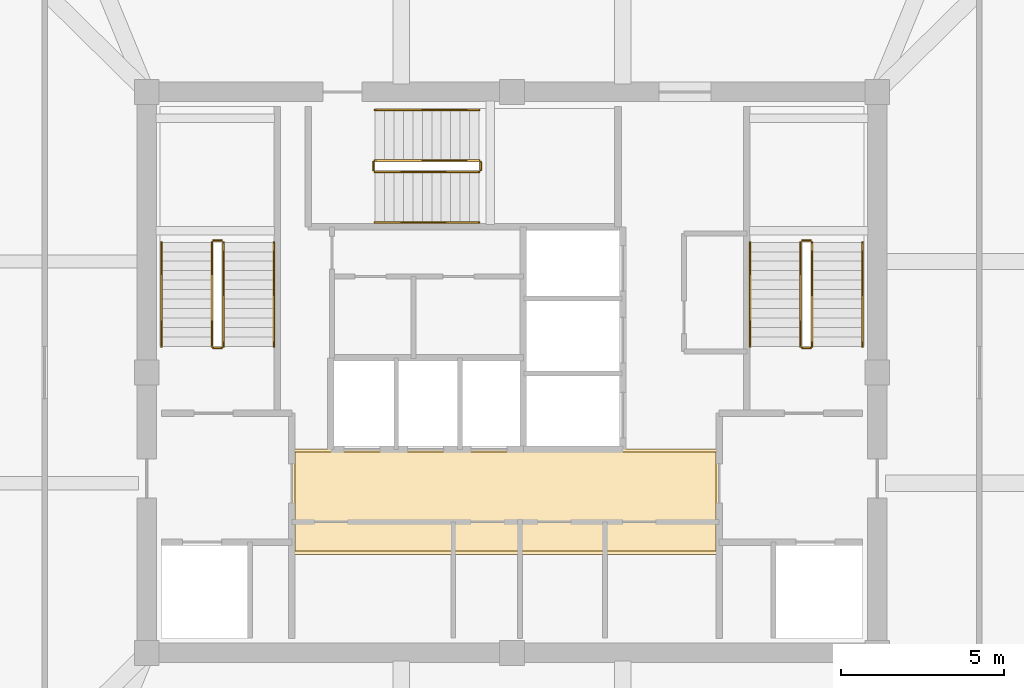
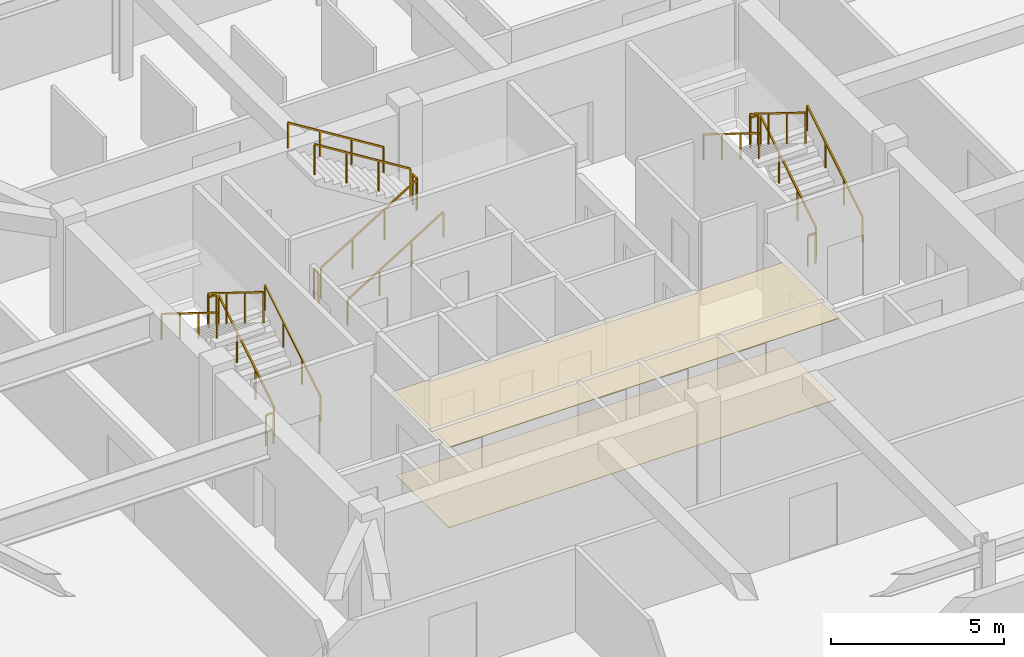
# One storey, part 9 of 9: 18 railings, 2 coverings.
"""IFC4 building model written with IfcOpenShell, lengths in metres."""

import ifcopenshell
import ifcopenshell.guid

model = None  # the IFC model being written
_history = None  # IfcOwnerHistory: only IFC2X3 demands one
_inside = {}  # id of a spatial element -> (the spatial element, [elements in it])
_under = {}  # id of a project, library or spatial element -> (it, [spatial elements below it])
_declared = {}  # id of a project -> (the project, [libraries it declares])
_typed = {}  # id of a type object -> (the type object, [elements of that type])
_made_of = {}  # id of a material, layer set ... -> (it, [elements and type objects made of it])


def new_model(schema):
    """Start an empty IFC model of exactly this schema.

    Asked for "IFC4X3", IfcOpenShell would pick the latest addendum, in which some entities
    have other attributes; the version numbers below select the first issue.
    IFC2X3 requires an IfcOwnerHistory on every rooted entity: one is made here for all.
    """
    global model, _history
    if schema == "IFC4X3":
        model = ifcopenshell.file(schema_version=(4, 3, 0, 0))
    else:
        model = ifcopenshell.file(schema=schema)
    _inside.clear()
    _under.clear()
    _declared.clear()
    _typed.clear()
    _made_of.clear()
    _history = None
    if model.schema == "IFC2X3":
        org = make("IfcOrganization", Name="unknown")
        user = make(
            "IfcPersonAndOrganization",
            ThePerson=make("IfcPerson", FamilyName="unknown"),
            TheOrganization=org,
        )
        app = make(
            "IfcApplication",
            ApplicationDeveloper=org,
            Version="unknown",
            ApplicationFullName="unknown",
            ApplicationIdentifier="unknown",
        )
        _history = make(
            "IfcOwnerHistory",
            OwningUser=user,
            OwningApplication=app,
            ChangeAction="ADDED",
            CreationDate=0,
        )
    return model


def make(cls, **values):
    """One entity of the class cls with the attributes given. An attribute that is None is left unset."""
    return model.create_entity(
        cls, **{name: value for name, value in values.items() if value is not None}
    )


def rooted(cls, **values):
    """An entity with a GlobalId (a new one), such as an element, a storey or a relation."""
    return make(cls, GlobalId=ifcopenshell.guid.new(), OwnerHistory=_history, **values)


def si_unit(unit_type, name, prefix=None):
    """IfcSIUnit, for example si_unit("LENGTHUNIT", "METRE", prefix="MILLI")."""
    return make("IfcSIUnit", UnitType=unit_type, Prefix=prefix, Name=name)


def derived_unit(unit_type, elements):
    """IfcDerivedUnit: a product of units, each with its exponent."""
    return make(
        "IfcDerivedUnit",
        Elements=[
            make("IfcDerivedUnitElement", Unit=unit, Exponent=power)
            for unit, power in elements
        ],
        UnitType=unit_type,
    )


def assignment(units):
    """IfcUnitAssignment: the units of a project."""
    return None if units is None else make("IfcUnitAssignment", Units=units)


def point(xyz):
    """IfcCartesianPoint."""
    return None if xyz is None else make("IfcCartesianPoint", Coordinates=xyz)


def direction(xyz):
    """IfcDirection."""
    return None if xyz is None else make("IfcDirection", DirectionRatios=xyz)


def frame(location, z_axis=None, x_axis=None):
    """IfcAxis2Placement3D, a coordinate frame: its origin and axes. An axis left out is left unset."""
    return make(
        "IfcAxis2Placement3D",
        Location=point(location),
        Axis=direction(z_axis),
        RefDirection=direction(x_axis),
    )


def frame_2d(location, x_axis=None):
    """IfcAxis2Placement2D, a coordinate frame in the plane: its origin and x axis."""
    return make(
        "IfcAxis2Placement2D", Location=point(location), RefDirection=direction(x_axis)
    )


def origin():
    """The frame at (0, 0, 0) with its axes left unset."""
    return frame((0.0, 0.0, 0.0))


def origin_2d():
    """The frame at (0, 0) in the plane with its x axis left unset."""
    return frame_2d((0.0, 0.0))


def place(relative_to, where):
    """IfcLocalPlacement: puts the frame where relative to a parent placement (None: the world)."""
    return make(
        "IfcLocalPlacement", PlacementRelTo=relative_to, RelativePlacement=where
    )


def context(
    kind, dimensions, precision=None, world=None, true_north=None, identifier=None
):
    """IfcGeometricRepresentationContext, for example the 3D "Model" context."""
    return make(
        "IfcGeometricRepresentationContext",
        ContextIdentifier=identifier,
        ContextType=kind,
        CoordinateSpaceDimension=dimensions,
        Precision=precision,
        WorldCoordinateSystem=world,
        TrueNorth=true_north,
    )


def subcontext(parent, identifier, kind, view, scale=None):
    """IfcGeometricRepresentationSubContext, for example "Body" below "Model"."""
    return make(
        "IfcGeometricRepresentationSubContext",
        ContextIdentifier=identifier,
        ContextType=kind,
        ParentContext=parent,
        TargetScale=scale,
        TargetView=view,
    )


def project(units=None, contexts=None):
    """IfcProject with its units and contexts."""
    return rooted(
        "IfcProject",
        Name="project",
        RepresentationContexts=contexts,
        UnitsInContext=assignment(units),
    )


def spatial(cls, under=None, at=None, **own):
    """A site, building, storey or space (cls), placed at a placement, below another one or the project."""
    s = rooted(cls, ObjectPlacement=at, **own)
    if under is not None:
        _under.setdefault(under.id(), (under, []))[1].append(s)
    return s


def polyline(points):
    """IfcPolyline through the points."""
    return make("IfcPolyline", Points=[point(p) for p in points])


def profile(cls, at=None, kind="AREA", **sizes):
    """A parametric profile (cls). Its sizes go by their IFC names, for example OverallWidth=200.0."""
    return make(cls, ProfileType=kind, Position=at, **sizes)


def rectangle(**sizes):
    """IfcRectangleProfileDef."""
    return profile("IfcRectangleProfileDef", **sizes)


def outline(outer, holes=None, kind="AREA"):
    """IfcArbitraryClosedProfileDef: a profile drawn as a closed curve; with holes, ...WithVoids."""
    if holes is None:
        return make("IfcArbitraryClosedProfileDef", ProfileType=kind, OuterCurve=outer)
    return make(
        "IfcArbitraryProfileDefWithVoids",
        ProfileType=kind,
        OuterCurve=outer,
        InnerCurves=holes,
    )


def extrude(swept, where, along, depth):
    """IfcExtrudedAreaSolid: the profile swept, set in the frame where, extruded along a direction by depth."""
    return make(
        "IfcExtrudedAreaSolid",
        SweptArea=swept,
        Position=where,
        ExtrudedDirection=direction(along),
        Depth=depth,
    )


def shape(context_of_items, identifier, shape_type, items):
    """IfcShapeRepresentation: the items that make up one representation, for example the "Body"."""
    return make(
        "IfcShapeRepresentation",
        ContextOfItems=context_of_items,
        RepresentationIdentifier=identifier,
        RepresentationType=shape_type,
        Items=items,
    )


def material(Name=None, Category=None):
    """IfcMaterial."""
    return make("IfcMaterial", Name=Name, Category=Category)


def layer(
    of_material, thickness, ventilated=None, Name=None, Category=None, Priority=None
):
    """IfcMaterialLayer: one layer of a wall or slab, of a material (None: an air gap)."""
    return make(
        "IfcMaterialLayer",
        Material=of_material,
        LayerThickness=thickness,
        IsVentilated=ventilated,
        Name=Name,
        Category=Category,
        Priority=Priority,
    )


def layer_set(layers, Name=None):
    """IfcMaterialLayerSet."""
    return make("IfcMaterialLayerSet", MaterialLayers=layers, LayerSetName=Name)


def made_of(thing, what):
    """Note that an element or type object is made of a material, layer set ...; save() writes the relation."""
    if what is not None:
        _made_of.setdefault(what.id(), (what, []))[1].append(thing)
    return thing


def type_object(cls, material=None, **own):
    """A type object (cls), such as IfcWallType, which elements share."""
    return made_of(rooted(cls, **own), material)


def element(
    cls,
    number,
    at=None,
    inside=None,
    cuts=None,
    type_object=None,
    material=None,
    context=None,
    identifier="Body",
    shape_type=None,
    held_by="IfcProductDefinitionShape",
    body=None,
    shapes=None,
    **own,
):
    """One element of the class cls, such as IfcWall. Its Tag is "e" and its number.

    at: its placement. inside: the storey or other place that contains it. cuts: it is an
    opening in that element (IfcRelVoidsElement). A single representation is given by context,
    identifier, shape_type and body (its items); several are given by shapes. held_by: the class
    of the entity that holds the representations. save() writes the other relations.
    """
    e = rooted(cls, Tag="e%d" % number, ObjectPlacement=at, **own)
    if body is not None:
        shapes = [shape(context, identifier, shape_type, body)]
    if shapes is not None:
        e.Representation = make(held_by, Representations=shapes)
    if inside is not None:
        _inside.setdefault(inside.id(), (inside, []))[1].append(e)
    if cuts is not None:
        rooted(
            "IfcRelVoidsElement", RelatingBuildingElement=cuts, RelatedOpeningElement=e
        )
    if type_object is not None:
        _typed.setdefault(type_object.id(), (type_object, []))[1].append(e)
    return made_of(e, material)


def aggregate(whole, parts):
    """IfcRelAggregates: a whole, such as a stair, and the parts it consists of."""
    return rooted("IfcRelAggregates", RelatingObject=whole, RelatedObjects=parts)


def save(model, path):
    """Write the relations noted so far, then the file.

    IfcRelAggregates (storeys below a building ...), IfcRelContainedInSpatialStructure (elements
    in a storey), IfcRelDefinesByType, IfcRelAssociatesMaterial and IfcRelDeclares: one each for
    every whole, place, type object, material and project.
    """
    for whole, parts in _under.values():
        aggregate(whole, parts)
    for where, things in _inside.values():
        rooted(
            "IfcRelContainedInSpatialStructure",
            RelatedElements=things,
            RelatingStructure=where,
        )
    for kind, things in _typed.values():
        rooted("IfcRelDefinesByType", RelatedObjects=things, RelatingType=kind)
    for what, things in _made_of.values():
        rooted("IfcRelAssociatesMaterial", RelatedObjects=things, RelatingMaterial=what)
    for by, libraries in _declared.values():
        rooted("IfcRelDeclares", RelatingContext=by, RelatedDefinitions=libraries)
    model.write(path)


model = new_model("IFC4")

# Units and contexts
model_context = context("Model", 3, precision=1e-05, world=origin(), true_north=direction((0.0, 1.0)))
body_context = subcontext(model_context, "Body", "Model", "MODEL_VIEW")
ifc_project = project(units=[si_unit("LENGTHUNIT", "METRE"), si_unit("AREAUNIT", "SQUARE_METRE"), si_unit("VOLUMEUNIT", "CUBIC_METRE"), si_unit("PLANEANGLEUNIT", "RADIAN"), si_unit("MASSUNIT", "GRAM", prefix="KILO"), derived_unit("THERMALTRANSMITTANCEUNIT", [(si_unit("POWERUNIT", "WATT"), 1), (si_unit("LENGTHUNIT", "METRE"), -2), (si_unit("THERMODYNAMICTEMPERATUREUNIT", "KELVIN"), -1)])], contexts=[model_context])

# Site, building, storey
site_placement = place(None, origin())
site = spatial("IfcSite", under=ifc_project, at=site_placement, CompositionType="ELEMENT")
building_placement = place(site_placement, origin())
building = spatial("IfcBuilding", under=site, at=building_placement, Name="Koralith Skygarden Medical Center", CompositionType="ELEMENT")
storey_placement = place(building_placement, frame((0.0, 0.0, 286.02001953125)))
storey = spatial("IfcBuildingStorey", under=building, at=storey_placement, Name="L74", CompositionType="ELEMENT", Elevation=286.02001953125)

# Coverings
ifc_material_1 = material(Name="Acoustic Mineral Tile")
ifc_layer_1 = layer(ifc_material_1, 0.02001953125)
ifc_layer_set_1 = layer_set([ifc_layer_1], Name="Acoustic Mineral Tile")
covering_type_1 = type_object("IfcCoveringType", Name="Acoustic Hygienic Mineral Ceiling 20", PredefinedType="CEILING", material=ifc_layer_set_1)
covering_1_placement = place(storey_placement, frame((0.0, 0.0, 2.905029296875)))
element("IfcCovering", 1, at=covering_1_placement, inside=storey, type_object=covering_type_1, Name="L74 Core Lobby Acoustic Ceiling", PredefinedType="CEILING", context=body_context, shape_type="SweptSolid", body=[
    extrude(outline(polyline([(30.25, 20.320068359375), (43.35009765625, 20.320068359375), (43.35009765625, 23.56005859375), (30.25, 23.56005859375), (30.25, 20.320068359375)])), origin(), (0.0, 0.0, 1.0), 0.02001953125),
])
ifc_material_2 = material(Name="Medical Terrazzo Flooring")
ifc_layer_2 = layer(ifc_material_2, 0.014892578125)
ifc_layer_set_2 = layer_set([ifc_layer_2], Name="Medical Terrazzo Flooring")
covering_type_2 = type_object("IfcCoveringType", Name="Seamless Antimicrobial Terrazzo Flooring 15", PredefinedType="FLOORING", material=ifc_layer_set_2)
covering_2_placement = place(storey_placement, origin())
element("IfcCovering", 2, at=covering_2_placement, inside=storey, type_object=covering_type_2, Name="L74 Core Lobby Terrazzo Flooring", PredefinedType="FLOORING", context=body_context, shape_type="SweptSolid", body=[
    extrude(outline(polyline([(30.35009765625, 20.419921875), (43.25, 20.419921875), (43.25, 23.4599609375), (30.35009765625, 23.4599609375), (30.35009765625, 20.419921875)])), origin(), (0.0, 0.0, 1.0), 0.014892578125),
])

# Railings
ifc_material_3 = material(Name="Steel ASTM A500 Grade C", Category="steel")
railing_type_1 = type_object("IfcRailingType", Name="Stair Flight Tubular Handrail 920", PredefinedType="HANDRAIL", material=ifc_material_3)
railing_1_placement = place(storey_placement, frame((29.699951171875, 26.699951171875, 0.179931640625)))
element("IfcRailing", 3, at=railing_1_placement, inside=storey, type_object=railing_type_1, Name="L74 ST1 stair handrail 1", PredefinedType="HANDRAIL", context=body_context, shape_type="SweptSolid", body=[
    extrude(rectangle(XDim=0.050048828125, YDim=0.050048828125, at=origin_2d()), frame((0.0, 0.001708984375, 0.89599609375), z_axis=(0.0, 0.849638156785, 0.527366099152), x_axis=(-1.0, 0.0, 0.0)), (0.0, 0.0, 1.0), 3.75048828125),
    extrude(rectangle(XDim=0.0419921875, YDim=0.0419921875, at=origin_2d()), origin(), (0.0, 0.0, 1.0), 0.867919921875),
    extrude(rectangle(XDim=0.0419921875, YDim=0.0419921875, at=origin_2d()), frame((0.0, 1.063232421875, 0.659912109375)), (0.0, 0.0, 1.0), 0.867919921875),
    extrude(rectangle(XDim=0.0419921875, YDim=0.0419921875, at=origin_2d()), frame((0.0, 2.126708984375, 1.320068359375)), (0.0, 0.0, 1.0), 0.867919921875),
    extrude(rectangle(XDim=0.0419921875, YDim=0.0419921875, at=origin_2d()), frame((0.0, 3.18994140625, 1.97998046875)), (0.0, 0.0, 1.0), 0.867919921875),
])
railing_2_placement = place(storey_placement, frame((26.25, 29.889892578125, 2.340087890625)))
element("IfcRailing", 4, at=railing_2_placement, inside=storey, type_object=railing_type_1, Name="L74 ST1 stair handrail 2", PredefinedType="HANDRAIL", context=body_context, shape_type="SweptSolid", body=[
    extrude(rectangle(XDim=0.050048828125, YDim=0.050048828125, at=origin_2d()), frame((0.0, -0.001708984375, 0.89599609375), z_axis=(0.0, -0.849638156785, 0.527366099152), x_axis=(1.0, 0.0, 0.0)), (0.0, 0.0, 1.0), 3.75048828125),
    extrude(rectangle(XDim=0.0419921875, YDim=0.0419921875, at=origin_2d()), origin(), (0.0, 0.0, 1.0), 0.867919921875),
    extrude(rectangle(XDim=0.0419921875, YDim=0.0419921875, at=origin_2d()), frame((0.0, -1.063232421875, 0.659912109375)), (0.0, 0.0, 1.0), 0.867919921875),
    extrude(rectangle(XDim=0.0419921875, YDim=0.0419921875, at=origin_2d()), frame((0.0, -2.126708984375, 1.320068359375)), (0.0, 0.0, 1.0), 0.867919921875),
    extrude(rectangle(XDim=0.0419921875, YDim=0.0419921875, at=origin_2d()), frame((0.0, -3.18994140625, 1.97998046875)), (0.0, 0.0, 1.0), 0.867919921875),
])
railing_3_placement = place(storey_placement, frame((47.75, 26.699951171875, 0.179931640625)))
element("IfcRailing", 5, at=railing_3_placement, inside=storey, type_object=railing_type_1, Name="L74 ST2 stair handrail 1", PredefinedType="HANDRAIL", context=body_context, shape_type="SweptSolid", body=[
    extrude(rectangle(XDim=0.050048828125, YDim=0.050048828125, at=origin_2d()), frame((0.0, 0.001708984375, 0.89599609375), z_axis=(0.0, 0.849638156785, 0.527366099152), x_axis=(-1.0, 0.0, 0.0)), (0.0, 0.0, 1.0), 3.75048828125),
    extrude(rectangle(XDim=0.0419921875, YDim=0.0419921875, at=origin_2d()), origin(), (0.0, 0.0, 1.0), 0.867919921875),
    extrude(rectangle(XDim=0.0419921875, YDim=0.0419921875, at=origin_2d()), frame((0.0, 1.063232421875, 0.659912109375)), (0.0, 0.0, 1.0), 0.867919921875),
    extrude(rectangle(XDim=0.0419921875, YDim=0.0419921875, at=origin_2d()), frame((0.0, 2.126708984375, 1.320068359375)), (0.0, 0.0, 1.0), 0.867919921875),
    extrude(rectangle(XDim=0.0419921875, YDim=0.0419921875, at=origin_2d()), frame((0.0, 3.18994140625, 1.97998046875)), (0.0, 0.0, 1.0), 0.867919921875),
])
railing_4_placement = place(storey_placement, frame((44.300048828125, 29.889892578125, 2.340087890625)))
element("IfcRailing", 6, at=railing_4_placement, inside=storey, type_object=railing_type_1, Name="L74 ST2 stair handrail 2", PredefinedType="HANDRAIL", context=body_context, shape_type="SweptSolid", body=[
    extrude(rectangle(XDim=0.050048828125, YDim=0.050048828125, at=origin_2d()), frame((0.0, -0.001708984375, 0.89599609375), z_axis=(0.0, -0.849638156785, 0.527366099152), x_axis=(1.0, 0.0, 0.0)), (0.0, 0.0, 1.0), 3.75048828125),
    extrude(rectangle(XDim=0.0419921875, YDim=0.0419921875, at=origin_2d()), origin(), (0.0, 0.0, 1.0), 0.867919921875),
    extrude(rectangle(XDim=0.0419921875, YDim=0.0419921875, at=origin_2d()), frame((0.0, -1.063232421875, 0.659912109375)), (0.0, 0.0, 1.0), 0.867919921875),
    extrude(rectangle(XDim=0.0419921875, YDim=0.0419921875, at=origin_2d()), frame((0.0, -2.126708984375, 1.320068359375)), (0.0, 0.0, 1.0), 0.867919921875),
    extrude(rectangle(XDim=0.0419921875, YDim=0.0419921875, at=origin_2d()), frame((0.0, -3.18994140625, 1.97998046875)), (0.0, 0.0, 1.0), 0.867919921875),
])
railing_5_placement = place(storey_placement, frame((32.800048828125, 30.5, 0.179931640625)))
element("IfcRailing", 7, at=railing_5_placement, inside=storey, type_object=railing_type_1, Name="L74 ST3 stair handrail 1", PredefinedType="HANDRAIL", context=body_context, shape_type="SweptSolid", body=[
    extrude(rectangle(XDim=0.050048828125, YDim=0.050048828125, at=origin_2d()), frame((0.001708984375, 0.0, 0.89599609375), z_axis=(0.849638156785, 0.0, 0.527366099152), x_axis=(0.0, 1.0, 0.0)), (0.0, 0.0, 1.0), 3.75048828125),
    extrude(rectangle(XDim=0.0419921875, YDim=0.0419921875, at=origin_2d()), origin(), (0.0, 0.0, 1.0), 0.867919921875),
    extrude(rectangle(XDim=0.0419921875, YDim=0.0419921875, at=origin_2d()), frame((1.063232421875, 0.0, 0.659912109375)), (0.0, 0.0, 1.0), 0.867919921875),
    extrude(rectangle(XDim=0.0419921875, YDim=0.0419921875, at=origin_2d()), frame((2.126708984375, 0.0, 1.320068359375)), (0.0, 0.0, 1.0), 0.867919921875),
    extrude(rectangle(XDim=0.0419921875, YDim=0.0419921875, at=origin_2d()), frame((3.18994140625, 0.0, 1.97998046875)), (0.0, 0.0, 1.0), 0.867919921875),
])
railing_6_placement = place(storey_placement, frame((35.989990234375, 33.949951171875, 2.340087890625)))
element("IfcRailing", 8, at=railing_6_placement, inside=storey, type_object=railing_type_1, Name="L74 ST3 stair handrail 2", PredefinedType="HANDRAIL", context=body_context, shape_type="SweptSolid", body=[
    extrude(rectangle(XDim=0.050048828125, YDim=0.050048828125, at=origin_2d()), frame((-0.001708984375, 0.0, 0.89599609375), z_axis=(-0.849638156785, 0.0, 0.527366099152), x_axis=(0.0, -1.0, 0.0)), (0.0, 0.0, 1.0), 3.75048828125),
    extrude(rectangle(XDim=0.0419921875, YDim=0.0419921875, at=origin_2d()), origin(), (0.0, 0.0, 1.0), 0.867919921875),
    extrude(rectangle(XDim=0.0419921875, YDim=0.0419921875, at=origin_2d()), frame((-1.063232421875, 0.0, 0.659912109375)), (0.0, 0.0, 1.0), 0.867919921875),
    extrude(rectangle(XDim=0.0419921875, YDim=0.0419921875, at=origin_2d()), frame((-2.126708984375, 0.0, 1.320068359375)), (0.0, 0.0, 1.0), 0.867919921875),
    extrude(rectangle(XDim=0.0419921875, YDim=0.0419921875, at=origin_2d()), frame((-3.18994140625, 0.0, 1.97998046875)), (0.0, 0.0, 1.0), 0.867919921875),
])
railing_type_2 = type_object("IfcRailingType", Name="Stair Well Safety Guardrail 1100", PredefinedType="GUARDRAIL", material=ifc_material_3)
railing_7_placement = place(storey_placement, frame((28.14990234375, 26.699951171875, 0.179931640625)))
element("IfcRailing", 9, at=railing_7_placement, inside=storey, type_object=railing_type_2, Name="L74 ST1 stair guard 1", PredefinedType="GUARDRAIL", context=body_context, shape_type="SweptSolid", body=[
    extrude(rectangle(XDim=0.050048828125, YDim=0.050048828125, at=origin_2d()), frame((0.0, 0.001708984375, 1.076171875), z_axis=(0.0, 0.849638156785, 0.527366099152), x_axis=(-1.0, 0.0, 0.0)), (0.0, 0.0, 1.0), 3.75048828125),
    extrude(rectangle(XDim=0.0419921875, YDim=0.0419921875, at=origin_2d()), origin(), (0.0, 0.0, 1.0), 1.048095703125),
    extrude(rectangle(XDim=0.0419921875, YDim=0.0419921875, at=origin_2d()), frame((0.0, 1.063232421875, 0.659912109375)), (0.0, 0.0, 1.0), 1.048095703125),
    extrude(rectangle(XDim=0.0419921875, YDim=0.0419921875, at=origin_2d()), frame((0.0, 2.126708984375, 1.320068359375)), (0.0, 0.0, 1.0), 1.048095703125),
    extrude(rectangle(XDim=0.0419921875, YDim=0.0419921875, at=origin_2d()), frame((0.0, 3.18994140625, 1.97998046875)), (0.0, 0.0, 1.0), 1.048095703125),
])
railing_8_placement = place(storey_placement, frame((28.10009765625, 29.93994140625, 2.159912109375)))
element("IfcRailing", 10, at=railing_8_placement, inside=storey, type_object=railing_type_2, Name="L74 ST1 stair guard 2", PredefinedType="GUARDRAIL", context=body_context, shape_type="SweptSolid", body=[
    extrude(rectangle(XDim=0.050048828125, YDim=0.050048828125, at=origin_2d()), frame((-0.001953125, 0.0, 1.0751953125), z_axis=(-1.0, 0.0, 0.0), x_axis=(0.0, -1.0, 0.0)), (0.0, 0.0, 1.0), 0.24609375),
    extrude(rectangle(XDim=0.0419921875, YDim=0.0419921875, at=origin_2d()), origin(), (0.0, 0.0, 1.0), 1.048095703125),
    extrude(rectangle(XDim=0.0419921875, YDim=0.0419921875, at=origin_2d()), frame((-0.25, 0.0, 0.0)), (0.0, 0.0, 1.0), 1.048095703125),
])
railing_9_placement = place(storey_placement, frame((27.800048828125, 29.889892578125, 2.340087890625)))
element("IfcRailing", 11, at=railing_9_placement, inside=storey, type_object=railing_type_2, Name="L74 ST1 stair guard 3", PredefinedType="GUARDRAIL", context=body_context, shape_type="SweptSolid", body=[
    extrude(rectangle(XDim=0.050048828125, YDim=0.050048828125, at=origin_2d()), frame((0.0, -0.001708984375, 1.076171875), z_axis=(0.0, -0.849638156785, 0.527366099152), x_axis=(1.0, 0.0, 0.0)), (0.0, 0.0, 1.0), 3.75048828125),
    extrude(rectangle(XDim=0.0419921875, YDim=0.0419921875, at=origin_2d()), origin(), (0.0, 0.0, 1.0), 1.048095703125),
    extrude(rectangle(XDim=0.0419921875, YDim=0.0419921875, at=origin_2d()), frame((0.0, -1.063232421875, 0.659912109375)), (0.0, 0.0, 1.0), 1.048095703125),
    extrude(rectangle(XDim=0.0419921875, YDim=0.0419921875, at=origin_2d()), frame((0.0, -2.126708984375, 1.320068359375)), (0.0, 0.0, 1.0), 1.048095703125),
    extrude(rectangle(XDim=0.0419921875, YDim=0.0419921875, at=origin_2d()), frame((0.0, -3.18994140625, 1.97998046875)), (0.0, 0.0, 1.0), 1.048095703125),
])
railing_10_placement = place(storey_placement, frame((28.10009765625, 26.64990234375, 0.0)))
element("IfcRailing", 12, at=railing_10_placement, inside=storey, type_object=railing_type_2, Name="L74 ST1 stair guard 4", PredefinedType="GUARDRAIL", context=body_context, shape_type="SweptSolid", body=[
    extrude(rectangle(XDim=0.050048828125, YDim=0.050048828125, at=origin_2d()), frame((-0.001953125, 0.0, 1.0751953125), z_axis=(-1.0, 0.0, 0.0), x_axis=(0.0, -1.0, 0.0)), (0.0, 0.0, 1.0), 0.24609375),
    extrude(rectangle(XDim=0.0419921875, YDim=0.0419921875, at=origin_2d()), origin(), (0.0, 0.0, 1.0), 1.048095703125),
    extrude(rectangle(XDim=0.0419921875, YDim=0.0419921875, at=origin_2d()), frame((-0.25, 0.0, 0.0)), (0.0, 0.0, 1.0), 1.048095703125),
])
railing_11_placement = place(storey_placement, frame((46.199951171875, 26.699951171875, 0.179931640625)))
element("IfcRailing", 13, at=railing_11_placement, inside=storey, type_object=railing_type_2, Name="L74 ST2 stair guard 1", PredefinedType="GUARDRAIL", context=body_context, shape_type="SweptSolid", body=[
    extrude(rectangle(XDim=0.050048828125, YDim=0.050048828125, at=origin_2d()), frame((0.0, 0.001708984375, 1.076171875), z_axis=(0.0, 0.849638156785, 0.527366099152), x_axis=(-1.0, 0.0, 0.0)), (0.0, 0.0, 1.0), 3.75048828125),
    extrude(rectangle(XDim=0.0419921875, YDim=0.0419921875, at=origin_2d()), origin(), (0.0, 0.0, 1.0), 1.048095703125),
    extrude(rectangle(XDim=0.0419921875, YDim=0.0419921875, at=origin_2d()), frame((0.0, 1.063232421875, 0.659912109375)), (0.0, 0.0, 1.0), 1.048095703125),
    extrude(rectangle(XDim=0.0419921875, YDim=0.0419921875, at=origin_2d()), frame((0.0, 2.126708984375, 1.320068359375)), (0.0, 0.0, 1.0), 1.048095703125),
    extrude(rectangle(XDim=0.0419921875, YDim=0.0419921875, at=origin_2d()), frame((0.0, 3.18994140625, 1.97998046875)), (0.0, 0.0, 1.0), 1.048095703125),
])
railing_12_placement = place(storey_placement, frame((46.14990234375, 29.93994140625, 2.159912109375)))
element("IfcRailing", 14, at=railing_12_placement, inside=storey, type_object=railing_type_2, Name="L74 ST2 stair guard 2", PredefinedType="GUARDRAIL", context=body_context, shape_type="SweptSolid", body=[
    extrude(rectangle(XDim=0.050048828125, YDim=0.050048828125, at=origin_2d()), frame((-0.001953125, 0.0, 1.0751953125), z_axis=(-1.0, 0.0, 0.0), x_axis=(0.0, -1.0, 0.0)), (0.0, 0.0, 1.0), 0.24609375),
    extrude(rectangle(XDim=0.0419921875, YDim=0.0419921875, at=origin_2d()), origin(), (0.0, 0.0, 1.0), 1.048095703125),
    extrude(rectangle(XDim=0.0419921875, YDim=0.0419921875, at=origin_2d()), frame((-0.25, 0.0, 0.0)), (0.0, 0.0, 1.0), 1.048095703125),
])
railing_13_placement = place(storey_placement, frame((45.85009765625, 29.889892578125, 2.340087890625)))
element("IfcRailing", 15, at=railing_13_placement, inside=storey, type_object=railing_type_2, Name="L74 ST2 stair guard 3", PredefinedType="GUARDRAIL", context=body_context, shape_type="SweptSolid", body=[
    extrude(rectangle(XDim=0.050048828125, YDim=0.050048828125, at=origin_2d()), frame((0.0, -0.001708984375, 1.076171875), z_axis=(0.0, -0.849638156785, 0.527366099152), x_axis=(1.0, 0.0, 0.0)), (0.0, 0.0, 1.0), 3.75048828125),
    extrude(rectangle(XDim=0.0419921875, YDim=0.0419921875, at=origin_2d()), origin(), (0.0, 0.0, 1.0), 1.048095703125),
    extrude(rectangle(XDim=0.0419921875, YDim=0.0419921875, at=origin_2d()), frame((0.0, -1.063232421875, 0.659912109375)), (0.0, 0.0, 1.0), 1.048095703125),
    extrude(rectangle(XDim=0.0419921875, YDim=0.0419921875, at=origin_2d()), frame((0.0, -2.126708984375, 1.320068359375)), (0.0, 0.0, 1.0), 1.048095703125),
    extrude(rectangle(XDim=0.0419921875, YDim=0.0419921875, at=origin_2d()), frame((0.0, -3.18994140625, 1.97998046875)), (0.0, 0.0, 1.0), 1.048095703125),
])
railing_14_placement = place(storey_placement, frame((46.14990234375, 26.64990234375, 0.0)))
element("IfcRailing", 16, at=railing_14_placement, inside=storey, type_object=railing_type_2, Name="L74 ST2 stair guard 4", PredefinedType="GUARDRAIL", context=body_context, shape_type="SweptSolid", body=[
    extrude(rectangle(XDim=0.050048828125, YDim=0.050048828125, at=origin_2d()), frame((-0.001953125, 0.0, 1.0751953125), z_axis=(-1.0, 0.0, 0.0), x_axis=(0.0, -1.0, 0.0)), (0.0, 0.0, 1.0), 0.24609375),
    extrude(rectangle(XDim=0.0419921875, YDim=0.0419921875, at=origin_2d()), origin(), (0.0, 0.0, 1.0), 1.048095703125),
    extrude(rectangle(XDim=0.0419921875, YDim=0.0419921875, at=origin_2d()), frame((-0.25, 0.0, 0.0)), (0.0, 0.0, 1.0), 1.048095703125),
])
railing_15_placement = place(storey_placement, frame((32.800048828125, 32.050048828125, 0.179931640625)))
element("IfcRailing", 17, at=railing_15_placement, inside=storey, type_object=railing_type_2, Name="L74 ST3 stair guard 1", PredefinedType="GUARDRAIL", context=body_context, shape_type="SweptSolid", body=[
    extrude(rectangle(XDim=0.050048828125, YDim=0.050048828125, at=origin_2d()), frame((0.001708984375, 0.0, 1.076171875), z_axis=(0.849638156785, 0.0, 0.527366099152), x_axis=(0.0, 1.0, 0.0)), (0.0, 0.0, 1.0), 3.75048828125),
    extrude(rectangle(XDim=0.0419921875, YDim=0.0419921875, at=origin_2d()), origin(), (0.0, 0.0, 1.0), 1.048095703125),
    extrude(rectangle(XDim=0.0419921875, YDim=0.0419921875, at=origin_2d()), frame((1.063232421875, 0.0, 0.659912109375)), (0.0, 0.0, 1.0), 1.048095703125),
    extrude(rectangle(XDim=0.0419921875, YDim=0.0419921875, at=origin_2d()), frame((2.126708984375, 0.0, 1.320068359375)), (0.0, 0.0, 1.0), 1.048095703125),
    extrude(rectangle(XDim=0.0419921875, YDim=0.0419921875, at=origin_2d()), frame((3.18994140625, 0.0, 1.97998046875)), (0.0, 0.0, 1.0), 1.048095703125),
])
railing_16_placement = place(storey_placement, frame((36.0400390625, 32.10009765625, 2.159912109375)))
element("IfcRailing", 18, at=railing_16_placement, inside=storey, type_object=railing_type_2, Name="L74 ST3 stair guard 2", PredefinedType="GUARDRAIL", context=body_context, shape_type="SweptSolid", body=[
    extrude(rectangle(XDim=0.050048828125, YDim=0.050048828125, at=origin_2d()), frame((0.0, 0.001953125, 1.0751953125), z_axis=(0.0, 1.0, 0.0), x_axis=(-1.0, 0.0, 0.0)), (0.0, 0.0, 1.0), 0.24609375),
    extrude(rectangle(XDim=0.0419921875, YDim=0.0419921875, at=origin_2d()), origin(), (0.0, 0.0, 1.0), 1.048095703125),
    extrude(rectangle(XDim=0.0419921875, YDim=0.0419921875, at=origin_2d()), frame((0.0, 0.25, 0.0)), (0.0, 0.0, 1.0), 1.048095703125),
])
railing_17_placement = place(storey_placement, frame((35.989990234375, 32.39990234375, 2.340087890625)))
element("IfcRailing", 19, at=railing_17_placement, inside=storey, type_object=railing_type_2, Name="L74 ST3 stair guard 3", PredefinedType="GUARDRAIL", context=body_context, shape_type="SweptSolid", body=[
    extrude(rectangle(XDim=0.050048828125, YDim=0.050048828125, at=origin_2d()), frame((-0.001708984375, 0.0, 1.076171875), z_axis=(-0.849638156785, 0.0, 0.527366099152), x_axis=(0.0, -1.0, 0.0)), (0.0, 0.0, 1.0), 3.75048828125),
    extrude(rectangle(XDim=0.0419921875, YDim=0.0419921875, at=origin_2d()), origin(), (0.0, 0.0, 1.0), 1.048095703125),
    extrude(rectangle(XDim=0.0419921875, YDim=0.0419921875, at=origin_2d()), frame((-1.063232421875, 0.0, 0.659912109375)), (0.0, 0.0, 1.0), 1.048095703125),
    extrude(rectangle(XDim=0.0419921875, YDim=0.0419921875, at=origin_2d()), frame((-2.126708984375, 0.0, 1.320068359375)), (0.0, 0.0, 1.0), 1.048095703125),
    extrude(rectangle(XDim=0.0419921875, YDim=0.0419921875, at=origin_2d()), frame((-3.18994140625, 0.0, 1.97998046875)), (0.0, 0.0, 1.0), 1.048095703125),
])
railing_18_placement = place(storey_placement, frame((32.75, 32.10009765625, 0.0)))
element("IfcRailing", 20, at=railing_18_placement, inside=storey, type_object=railing_type_2, Name="L74 ST3 stair guard 4", PredefinedType="GUARDRAIL", context=body_context, shape_type="SweptSolid", body=[
    extrude(rectangle(XDim=0.050048828125, YDim=0.050048828125, at=origin_2d()), frame((0.0, 0.001953125, 1.0751953125), z_axis=(0.0, 1.0, 0.0), x_axis=(-1.0, 0.0, 0.0)), (0.0, 0.0, 1.0), 0.24609375),
    extrude(rectangle(XDim=0.0419921875, YDim=0.0419921875, at=origin_2d()), origin(), (0.0, 0.0, 1.0), 1.048095703125),
    extrude(rectangle(XDim=0.0419921875, YDim=0.0419921875, at=origin_2d()), frame((0.0, 0.25, 0.0)), (0.0, 0.0, 1.0), 1.048095703125),
])

save(model, "model.ifc")
